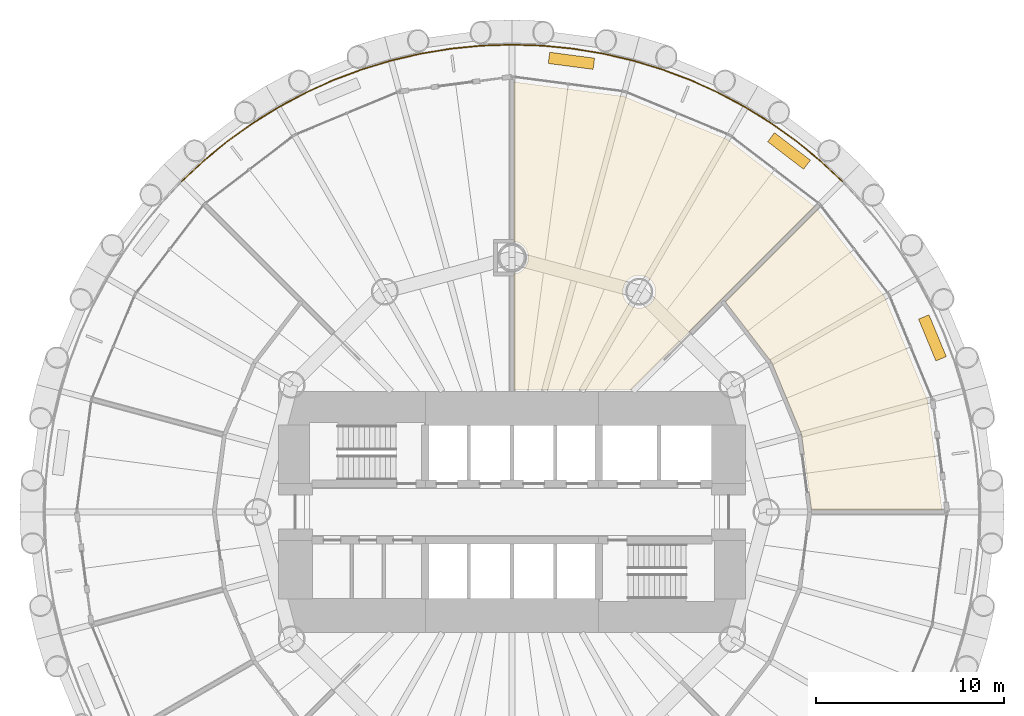
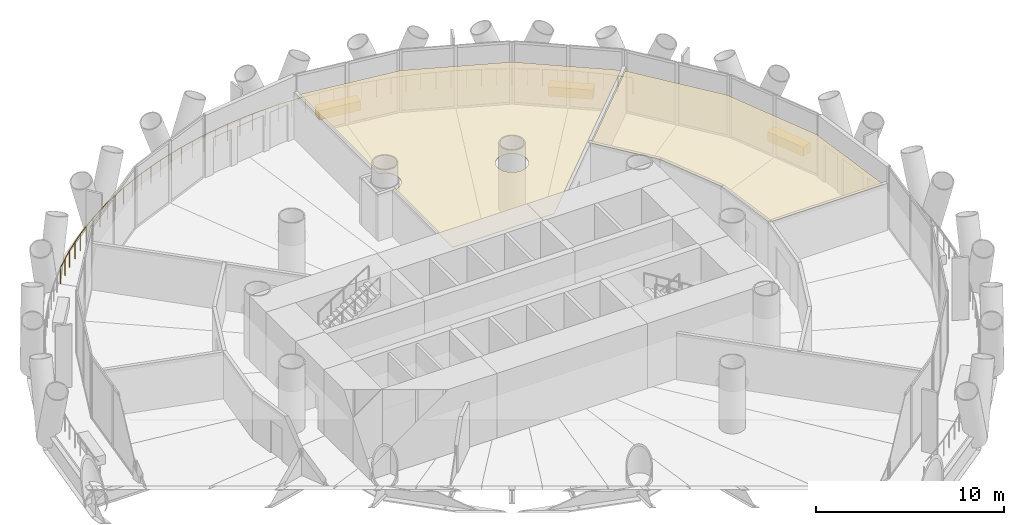
# One storey, part 14 of 14: 5 coverings, 1 railing.
"""IFC4 building model written with IfcOpenShell, lengths in metres."""

from ifc_helpers import new_model, si_unit, direction, frame, origin, origin_2d, place, context, subcontext, project, spatial, polyline, rectangle, circle, outline, extrude, material, layer, layer_set, type_object, element, save


model = new_model("IFC4")

# Units and contexts
model_context = context("Model", 3, precision=1e-05, world=origin(), true_north=direction((0.0, 1.0)))
body_context = subcontext(model_context, "Body", "Model", "MODEL_VIEW")
ifc_project = project(units=[si_unit("LENGTHUNIT", "METRE"), si_unit("AREAUNIT", "SQUARE_METRE"), si_unit("VOLUMEUNIT", "CUBIC_METRE"), si_unit("PLANEANGLEUNIT", "RADIAN"), si_unit("MASSUNIT", "GRAM", prefix="KILO")], contexts=[model_context])

# Site, building, storey
site_placement = place(None, origin())
site = spatial("IfcSite", under=ifc_project, at=site_placement, CompositionType="ELEMENT")
building_placement = place(site_placement, origin())
building = spatial("IfcBuilding", under=site, at=building_placement, Name="Qaws Media Tower", CompositionType="ELEMENT")
storey_placement = place(building_placement, frame((0.0, 0.0, 76.39990234375)))
storey = spatial("IfcBuildingStorey", under=building, at=storey_placement, Name="L16", CompositionType="ELEMENT", Elevation=76.39990234375)

# Coverings
ifc_material_1 = material(Name="40 perforated acoustic panels with mineral wool backing, suspended", Category="mineral fibre")
ifc_layer_1 = layer(ifc_material_1, 0.0400390625)
ifc_layer_set_1 = layer_set([ifc_layer_1], Name="Acoustic panel ceiling 40")
covering_type_1 = type_object("IfcCoveringType", Name="Acoustic panel ceiling 40", PredefinedType="CEILING", material=ifc_layer_set_1)
covering_1_placement = place(storey_placement, frame((0.0, 0.0, 2.85009765625)))
element("IfcCovering", 1, at=covering_1_placement, inside=storey, type_object=covering_type_1, Name="CL3 ceiling L16-02 Digital desk", PredefinedType="CEILING", context=body_context, shape_type="SweptSolid", body=[
    extrude(outline(polyline([(79.77587890625, 61.41748046875), (82.05712890625, 55.91015625), (82.8203125, 50.112548828125), (75.898681640625, 50.112548828125), (75.37109375, 54.11865234375), (73.781494140625, 57.956787109375), (71.321533203125, 61.16259765625), (76.216064453125, 66.056884765625), (79.77587890625, 61.41748046875)])), origin(), (0.0, 0.0, 1.0), 0.0400390625),
])
covering_2_placement = place(storey_placement, frame((0.0, 0.0, 2.85009765625)))
element("IfcCovering", 2, at=covering_2_placement, inside=storey, type_object=covering_type_1, Name="CL3 ceiling L16-03 Digital desk", PredefinedType="CEILING", context=body_context, shape_type="SweptSolid", body=[
    extrude(outline(polyline([(65.91015625, 72.05712890625), (71.41748046875, 69.77587890625), (76.056884765625, 66.216064453125), (66.353515625, 56.512451171875), (60.112548828125, 56.512451171875), (60.112548828125, 62.636474609375), (60.225341796875, 62.65869140625), (60.333251953125, 62.6953125), (60.435546875, 62.74560546875), (60.5302734375, 62.80908203125), (60.615966796875, 62.884033203125), (60.69091796875, 62.9697265625), (60.75439453125, 63.064453125), (60.8046875, 63.166748046875), (60.84130859375, 63.274658203125), (60.863525390625, 63.38623046875), (60.87109375, 63.5), (60.863525390625, 63.61376953125), (60.84130859375, 63.725341796875), (60.8046875, 63.833251953125), (60.75439453125, 63.935546875), (60.69091796875, 64.0302734375), (60.615966796875, 64.115966796875), (60.5302734375, 64.19091796875), (60.435546875, 64.25439453125), (60.333251953125, 64.3046875), (60.225341796875, 64.34130859375), (60.112548828125, 64.363525390625), (60.112548828125, 72.8203125), (65.91015625, 72.05712890625)]), holes=[polyline([(67.5546875, 61.35791015625), (67.59130859375, 61.4658203125), (67.613525390625, 61.57763671875), (67.62109375, 61.69140625), (67.613525390625, 61.804931640625), (67.59130859375, 61.916748046875), (67.5546875, 62.024658203125), (67.50439453125, 62.126708984375), (67.44091796875, 62.2216796875), (67.365966796875, 62.30712890625), (67.2802734375, 62.38232421875), (67.185546875, 62.44580078125), (67.083251953125, 62.49609375), (66.975341796875, 62.53271484375), (66.86376953125, 62.554931640625), (66.75, 62.562255859375), (66.63623046875, 62.554931640625), (66.524658203125, 62.53271484375), (66.416748046875, 62.49609375), (66.314453125, 62.44580078125), (66.2197265625, 62.38232421875), (66.134033203125, 62.30712890625), (66.05908203125, 62.2216796875), (65.99560546875, 62.126708984375), (65.9453125, 62.024658203125), (65.90869140625, 61.916748046875), (65.886474609375, 61.804931640625), (65.87890625, 61.69140625), (65.886474609375, 61.57763671875), (65.90869140625, 61.4658203125), (65.9453125, 61.35791015625), (65.99560546875, 61.255859375), (66.05908203125, 61.1611328125), (66.134033203125, 61.075439453125), (66.2197265625, 61.000244140625), (66.314453125, 60.93701171875), (66.416748046875, 60.88671875), (66.524658203125, 60.85009765625), (66.63623046875, 60.827880859375), (66.75, 60.8203125), (66.86376953125, 60.827880859375), (66.975341796875, 60.85009765625), (67.083251953125, 60.88671875), (67.185546875, 60.93701171875), (67.2802734375, 61.000244140625), (67.365966796875, 61.075439453125), (67.44091796875, 61.1611328125), (67.50439453125, 61.255859375), (67.5546875, 61.35791015625)])]), origin(), (0.0, 0.0, 1.0), 0.0400390625),
])

# Railing
ifc_material_2 = material(Name="Stainless steel and glass guard", Category="steel")
railing_type = type_object("IfcRailingType", Name="Balcony guard 1100", PredefinedType="GUARDRAIL", material=ifc_material_2)
railing_placement = place(storey_placement, frame((77.5361328125, 67.5361328125, 0.0)))
element("IfcRailing", 3, at=railing_placement, inside=storey, type_object=railing_type, Name="GR1 balcony guard L16-1", PredefinedType="GUARDRAIL", context=body_context, shape_type="SweptSolid", body=[
    extrude(circle(Radius=0.02392578125, at=origin_2d()), frame((0.0, 0.0, 1.076171875), z_axis=(-0.729823335563, 0.683635794022, 0.0), x_axis=(-0.683635794022, -0.729823335563, 0.0)), (0.0, 0.0, 1.0), 1.622802734375),
    extrude(circle(Radius=0.02392578125, at=origin_2d()), frame((-1.184326171875, 1.109375, 1.076171875), z_axis=(-0.773044998385, 0.634351188595, 0.0), x_axis=(-0.634351188595, -0.773044998385, 0.0)), (0.0, 0.0, 1.0), 1.623046875),
    extrude(circle(Radius=0.02392578125, at=origin_2d()), frame((-2.43896484375, 2.138916015625, 1.076171875), z_axis=(-0.812827812024, 0.582504032604, 0.0), x_axis=(-0.582504032604, -0.812827812024, 0.0)), (0.0, 0.0, 1.0), 1.622802734375),
    extrude(circle(Radius=0.02392578125, at=origin_2d()), frame((-3.758056640625, 3.084228515625, 1.076171875), z_axis=(-0.849154052867, 0.528145239967, 0.0), x_axis=(-0.528145239967, -0.849154052867, 0.0)), (0.0, 0.0, 1.0), 1.623046875),
    extrude(circle(Radius=0.02392578125, at=origin_2d()), frame((-5.13623046875, 3.94140625, 1.076171875), z_axis=(-0.881940295508, 0.471361130301, 0.0), x_axis=(-0.471361130301, -0.881940295508, 0.0)), (0.0, 0.0, 1.0), 1.622802734375),
    extrude(circle(Radius=0.02392578125, at=origin_2d()), frame((-6.5673828125, 4.706298828125, 1.076171875), z_axis=(-0.910891239734, 0.412646518677, 0.0), x_axis=(-0.412646518677, -0.910891239734, 0.0)), (0.0, 0.0, 1.0), 1.622802734375),
    extrude(circle(Radius=0.02392578125, at=origin_2d()), frame((-8.045654296875, 5.3759765625, 1.076171875), z_axis=(-0.935877089003, 0.352326658486, 0.0), x_axis=(-0.352326658486, -0.935877089003, 0.0)), (0.0, 0.0, 1.0), 1.622802734375),
    extrude(circle(Radius=0.02392578125, at=origin_2d()), frame((-9.564453125, 5.94775390625, 1.076171875), z_axis=(-0.956923127669, 0.290341398585, 0.0), x_axis=(-0.290341398585, -0.956923127669, 0.0)), (0.0, 0.0, 1.0), 1.622802734375),
    extrude(circle(Radius=0.02392578125, at=origin_2d()), frame((-11.117431640625, 6.4189453125, 1.076171875), z_axis=(-0.973894444351, 0.227001346389, 0.0), x_axis=(-0.227001346389, -0.973894444351, 0.0)), (0.0, 0.0, 1.0), 1.623046875),
    extrude(circle(Radius=0.02392578125, at=origin_2d()), frame((-12.697998046875, 6.787353515625, 1.076171875), z_axis=(-0.986636807112, 0.162934989647, 0.0), x_axis=(-0.162934989647, -0.986636807112, 0.0)), (0.0, 0.0, 1.0), 1.622802734375),
    extrude(circle(Radius=0.02392578125, at=origin_2d()), frame((-14.299072265625, 7.0517578125, 1.076171875), z_axis=(-0.995192364026, 0.097939565983, 0.0), x_axis=(-0.097939565983, -0.995192364026, 0.0)), (0.0, 0.0, 1.0), 1.622802734375),
    extrude(circle(Radius=0.02392578125, at=origin_2d()), frame((-15.9140625, 7.210693359375, 1.076171875), z_axis=(-0.999462135048, 0.032793911114, 0.0), x_axis=(-0.032793911114, -0.999462135048, 0.0)), (0.0, 0.0, 1.0), 1.623046875),
    extrude(circle(Radius=0.02392578125, at=origin_2d()), frame((-17.5361328125, 7.263916015625, 1.076171875), z_axis=(-0.999462135048, -0.032793911114, 0.0), x_axis=(0.032793911114, -0.999462135048, 0.0)), (0.0, 0.0, 1.0), 1.623046875),
    extrude(circle(Radius=0.02392578125, at=origin_2d()), frame((-19.158203125, 7.210693359375, 1.076171875), z_axis=(-0.995192364026, -0.097939565983, 0.0), x_axis=(0.097939565983, -0.995192364026, 0.0)), (0.0, 0.0, 1.0), 1.622802734375),
    extrude(circle(Radius=0.02392578125, at=origin_2d()), frame((-20.773193359375, 7.0517578125, 1.076171875), z_axis=(-0.986636807112, -0.162934989647, 0.0), x_axis=(0.162934989647, -0.986636807112, 0.0)), (0.0, 0.0, 1.0), 1.622802734375),
    extrude(circle(Radius=0.02392578125, at=origin_2d()), frame((-22.374267578125, 6.787353515625, 1.076171875), z_axis=(-0.973894444351, -0.227001346389, 0.0), x_axis=(0.227001346389, -0.973894444351, 0.0)), (0.0, 0.0, 1.0), 1.623046875),
    extrude(circle(Radius=0.02392578125, at=origin_2d()), frame((-23.954833984375, 6.4189453125, 1.076171875), z_axis=(-0.956923127669, -0.290341398585, 0.0), x_axis=(0.290341398585, -0.956923127669, 0.0)), (0.0, 0.0, 1.0), 1.622802734375),
    extrude(circle(Radius=0.02392578125, at=origin_2d()), frame((-25.5078125, 5.94775390625, 1.076171875), z_axis=(-0.935877089003, -0.352326658486, 0.0), x_axis=(0.352326658486, -0.935877089003, 0.0)), (0.0, 0.0, 1.0), 1.622802734375),
    extrude(circle(Radius=0.02392578125, at=origin_2d()), frame((-27.026611328125, 5.3759765625, 1.076171875), z_axis=(-0.910891239734, -0.412646518677, 0.0), x_axis=(0.412646518677, -0.910891239734, 0.0)), (0.0, 0.0, 1.0), 1.622802734375),
    extrude(circle(Radius=0.02392578125, at=origin_2d()), frame((-28.5048828125, 4.706298828125, 1.076171875), z_axis=(-0.881940295508, -0.471361130301, 0.0), x_axis=(0.471361130301, -0.881940295508, 0.0)), (0.0, 0.0, 1.0), 1.622802734375),
    extrude(circle(Radius=0.02392578125, at=origin_2d()), frame((-29.93603515625, 3.94140625, 1.076171875), z_axis=(-0.849154052867, -0.528145239967, 0.0), x_axis=(0.528145239967, -0.849154052867, 0.0)), (0.0, 0.0, 1.0), 1.623046875),
    extrude(circle(Radius=0.02392578125, at=origin_2d()), frame((-31.314208984375, 3.084228515625, 1.076171875), z_axis=(-0.812827812024, -0.582504032604, 0.0), x_axis=(0.582504032604, -0.812827812024, 0.0)), (0.0, 0.0, 1.0), 1.622802734375),
    extrude(circle(Radius=0.02392578125, at=origin_2d()), frame((-32.63330078125, 2.138916015625, 1.076171875), z_axis=(-0.773044998385, -0.634351188595, 0.0), x_axis=(0.634351188595, -0.773044998385, 0.0)), (0.0, 0.0, 1.0), 1.623046875),
    extrude(circle(Radius=0.02392578125, at=origin_2d()), frame((-33.887939453125, 1.109375, 1.076171875), z_axis=(-0.729823335563, -0.683635794022, 0.0), x_axis=(0.683635794022, -0.729823335563, 0.0)), (0.0, 0.0, 1.0), 1.622802734375),
    extrude(circle(Radius=0.02099609375, at=origin_2d()), origin(), (0.0, 0.0, 1.0), 1.052001953125),
    extrude(circle(Radius=0.02099609375, at=origin_2d()), frame((-0.59228515625, 0.5546875, 0.0)), (0.0, 0.0, 1.0), 1.052001953125),
    extrude(circle(Radius=0.02099609375, at=origin_2d()), frame((-1.184326171875, 1.109375, 0.0)), (0.0, 0.0, 1.0), 1.052001953125),
    extrude(circle(Radius=0.02099609375, at=origin_2d()), frame((-1.8115234375, 1.6240234375, 0.0)), (0.0, 0.0, 1.0), 1.052001953125),
    extrude(circle(Radius=0.02099609375, at=origin_2d()), frame((-2.43896484375, 2.138916015625, 0.0)), (0.0, 0.0, 1.0), 1.052001953125),
    extrude(circle(Radius=0.02099609375, at=origin_2d()), frame((-3.0986328125, 2.611572265625, 0.0)), (0.0, 0.0, 1.0), 1.052001953125),
    extrude(circle(Radius=0.02099609375, at=origin_2d()), frame((-3.758056640625, 3.084228515625, 0.0)), (0.0, 0.0, 1.0), 1.052001953125),
    extrude(circle(Radius=0.02099609375, at=origin_2d()), frame((-4.447265625, 3.5126953125, 0.0)), (0.0, 0.0, 1.0), 1.052001953125),
    extrude(circle(Radius=0.02099609375, at=origin_2d()), frame((-5.13623046875, 3.94140625, 0.0)), (0.0, 0.0, 1.0), 1.052001953125),
    extrude(circle(Radius=0.02099609375, at=origin_2d()), frame((-5.851806640625, 4.32373046875, 0.0)), (0.0, 0.0, 1.0), 1.052001953125),
    extrude(circle(Radius=0.02099609375, at=origin_2d()), frame((-6.5673828125, 4.706298828125, 0.0)), (0.0, 0.0, 1.0), 1.052001953125),
    extrude(circle(Radius=0.02099609375, at=origin_2d()), frame((-7.306640625, 5.041015625, 0.0)), (0.0, 0.0, 1.0), 1.052001953125),
    extrude(circle(Radius=0.02099609375, at=origin_2d()), frame((-8.045654296875, 5.3759765625, 0.0)), (0.0, 0.0, 1.0), 1.052001953125),
    extrude(circle(Radius=0.02099609375, at=origin_2d()), frame((-8.80517578125, 5.661865234375, 0.0)), (0.0, 0.0, 1.0), 1.052001953125),
    extrude(circle(Radius=0.02099609375, at=origin_2d()), frame((-9.564453125, 5.94775390625, 0.0)), (0.0, 0.0, 1.0), 1.052001953125),
    extrude(circle(Radius=0.02099609375, at=origin_2d()), frame((-10.3408203125, 6.183349609375, 0.0)), (0.0, 0.0, 1.0), 1.052001953125),
    extrude(circle(Radius=0.02099609375, at=origin_2d()), frame((-11.117431640625, 6.4189453125, 0.0)), (0.0, 0.0, 1.0), 1.052001953125),
    extrude(circle(Radius=0.02099609375, at=origin_2d()), frame((-11.90771484375, 6.60302734375, 0.0)), (0.0, 0.0, 1.0), 1.052001953125),
    extrude(circle(Radius=0.02099609375, at=origin_2d()), frame((-12.697998046875, 6.787353515625, 0.0)), (0.0, 0.0, 1.0), 1.052001953125),
    extrude(circle(Radius=0.02099609375, at=origin_2d()), frame((-13.49853515625, 6.91943359375, 0.0)), (0.0, 0.0, 1.0), 1.052001953125),
    extrude(circle(Radius=0.02099609375, at=origin_2d()), frame((-14.299072265625, 7.0517578125, 0.0)), (0.0, 0.0, 1.0), 1.052001953125),
    extrude(circle(Radius=0.02099609375, at=origin_2d()), frame((-15.1064453125, 7.13134765625, 0.0)), (0.0, 0.0, 1.0), 1.052001953125),
    extrude(circle(Radius=0.02099609375, at=origin_2d()), frame((-15.9140625, 7.210693359375, 0.0)), (0.0, 0.0, 1.0), 1.052001953125),
    extrude(circle(Radius=0.02099609375, at=origin_2d()), frame((-16.72509765625, 7.2373046875, 0.0)), (0.0, 0.0, 1.0), 1.052001953125),
    extrude(circle(Radius=0.02099609375, at=origin_2d()), frame((-17.5361328125, 7.263916015625, 0.0)), (0.0, 0.0, 1.0), 1.052001953125),
    extrude(circle(Radius=0.02099609375, at=origin_2d()), frame((-18.34716796875, 7.2373046875, 0.0)), (0.0, 0.0, 1.0), 1.052001953125),
    extrude(circle(Radius=0.02099609375, at=origin_2d()), frame((-19.158203125, 7.210693359375, 0.0)), (0.0, 0.0, 1.0), 1.052001953125),
    extrude(circle(Radius=0.02099609375, at=origin_2d()), frame((-19.9658203125, 7.13134765625, 0.0)), (0.0, 0.0, 1.0), 1.052001953125),
    extrude(circle(Radius=0.02099609375, at=origin_2d()), frame((-20.773193359375, 7.0517578125, 0.0)), (0.0, 0.0, 1.0), 1.052001953125),
    extrude(circle(Radius=0.02099609375, at=origin_2d()), frame((-21.57373046875, 6.91943359375, 0.0)), (0.0, 0.0, 1.0), 1.052001953125),
    extrude(circle(Radius=0.02099609375, at=origin_2d()), frame((-22.374267578125, 6.787353515625, 0.0)), (0.0, 0.0, 1.0), 1.052001953125),
    extrude(circle(Radius=0.02099609375, at=origin_2d()), frame((-23.16455078125, 6.60302734375, 0.0)), (0.0, 0.0, 1.0), 1.052001953125),
    extrude(circle(Radius=0.02099609375, at=origin_2d()), frame((-23.954833984375, 6.4189453125, 0.0)), (0.0, 0.0, 1.0), 1.052001953125),
    extrude(circle(Radius=0.02099609375, at=origin_2d()), frame((-24.7314453125, 6.183349609375, 0.0)), (0.0, 0.0, 1.0), 1.052001953125),
    extrude(circle(Radius=0.02099609375, at=origin_2d()), frame((-25.5078125, 5.94775390625, 0.0)), (0.0, 0.0, 1.0), 1.052001953125),
    extrude(circle(Radius=0.02099609375, at=origin_2d()), frame((-26.26708984375, 5.661865234375, 0.0)), (0.0, 0.0, 1.0), 1.052001953125),
    extrude(circle(Radius=0.02099609375, at=origin_2d()), frame((-27.026611328125, 5.3759765625, 0.0)), (0.0, 0.0, 1.0), 1.052001953125),
    extrude(circle(Radius=0.02099609375, at=origin_2d()), frame((-27.765625, 5.041015625, 0.0)), (0.0, 0.0, 1.0), 1.052001953125),
    extrude(circle(Radius=0.02099609375, at=origin_2d()), frame((-28.5048828125, 4.706298828125, 0.0)), (0.0, 0.0, 1.0), 1.052001953125),
    extrude(circle(Radius=0.02099609375, at=origin_2d()), frame((-29.220458984375, 4.32373046875, 0.0)), (0.0, 0.0, 1.0), 1.052001953125),
    extrude(circle(Radius=0.02099609375, at=origin_2d()), frame((-29.93603515625, 3.94140625, 0.0)), (0.0, 0.0, 1.0), 1.052001953125),
    extrude(circle(Radius=0.02099609375, at=origin_2d()), frame((-30.625, 3.5126953125, 0.0)), (0.0, 0.0, 1.0), 1.052001953125),
    extrude(circle(Radius=0.02099609375, at=origin_2d()), frame((-31.314208984375, 3.084228515625, 0.0)), (0.0, 0.0, 1.0), 1.052001953125),
    extrude(circle(Radius=0.02099609375, at=origin_2d()), frame((-31.9736328125, 2.611572265625, 0.0)), (0.0, 0.0, 1.0), 1.052001953125),
    extrude(circle(Radius=0.02099609375, at=origin_2d()), frame((-32.63330078125, 2.138916015625, 0.0)), (0.0, 0.0, 1.0), 1.052001953125),
    extrude(circle(Radius=0.02099609375, at=origin_2d()), frame((-33.2607421875, 1.6240234375, 0.0)), (0.0, 0.0, 1.0), 1.052001953125),
    extrude(circle(Radius=0.02099609375, at=origin_2d()), frame((-33.887939453125, 1.109375, 0.0)), (0.0, 0.0, 1.0), 1.052001953125),
    extrude(circle(Radius=0.02099609375, at=origin_2d()), frame((-34.47998046875, 0.5546875, 0.0)), (0.0, 0.0, 1.0), 1.052001953125),
    extrude(circle(Radius=0.02099609375, at=origin_2d()), frame((-35.072265625, 0.0, 0.0)), (0.0, 0.0, 1.0), 1.052001953125),
])

# Coverings
ifc_material_3 = material(Name="Precast concrete planter with trailing planting", Category="concrete")
ifc_layer_2 = layer(ifc_material_3, 0.60009765625)
ifc_layer_set_2 = layer_set([ifc_layer_2], Name="Planter 2400x600")
covering_type_2 = type_object("IfcCoveringType", Name="Planter 2400x600", PredefinedType="USERDEFINED", material=ifc_layer_set_2)
for number, where, z_axis, x_axis, name in (
    (4, (82.311767578125, 59.24169921875, 0.0), (0.0, 0.0, 1.0), (-0.382683432365, 0.923879532511, 0.0), "PL1 balcony planter L16-01"),
    (5, (74.70166015625, 69.159423828125, 0.0), (0.0, 0.0, 1.0), (-0.793353340291, 0.608761429009, 0.0), "PL1 balcony planter L16-02"),
    (6, (63.152099609375, 73.943359375, 0.0), (0.0, 0.0, 1.0), (-0.991444861374, 0.13052619222, 0.0), "PL1 balcony planter L16-03"),
):
    element("IfcCovering", number, at=place(storey_placement, frame(where, z_axis=z_axis, x_axis=x_axis)), inside=storey, type_object=covering_type_2, Name=name, ObjectType="PLANTER", PredefinedType="USERDEFINED", context=body_context, shape_type="SweptSolid", body=[
        extrude(rectangle(XDim=2.39990234375, YDim=0.60009765625, at=origin_2d()), origin(), (0.0, 0.0, 1.0), 0.60009765625),
    ])

save(model, "model.ifc")
